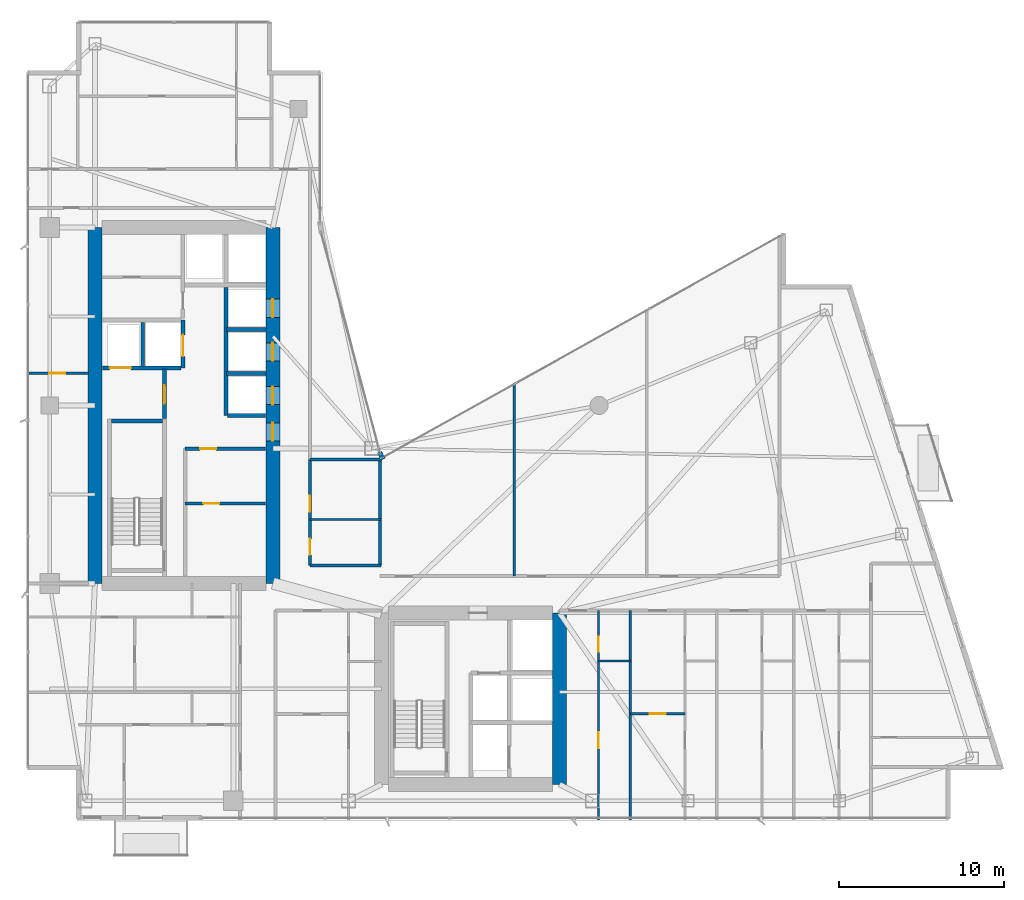
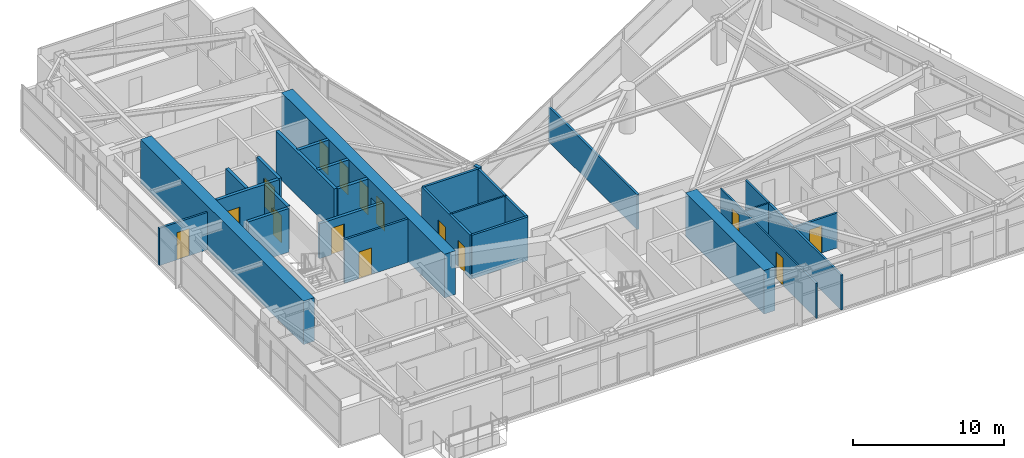
# One storey, part 23 of 28: 26 walls, 15 doors, 15 openings.
"""IFC4 building model written with IfcOpenShell, lengths in metres."""

from ifc_helpers import new_model, si_unit, direction, frame, frame_2d, origin, place, context, subcontext, project, spatial, rectangle, extrude, material, layer, layer_set, type_object, element, fill, save


model = new_model("IFC4")

# Units and contexts
model_context = context("Model", 3, precision=1e-05, world=origin(), true_north=direction((0.0, 1.0)))
body_context = subcontext(model_context, "Body", "Model", "MODEL_VIEW")
ifc_project = project(units=[si_unit("LENGTHUNIT", "METRE"), si_unit("AREAUNIT", "SQUARE_METRE"), si_unit("VOLUMEUNIT", "CUBIC_METRE"), si_unit("PLANEANGLEUNIT", "RADIAN"), si_unit("MASSUNIT", "GRAM", prefix="KILO")], contexts=[model_context])

# Site, building, storey
site_placement = place(None, origin())
site = spatial("IfcSite", under=ifc_project, at=site_placement, CompositionType="ELEMENT")
building_placement = place(site_placement, origin())
building = spatial("IfcBuilding", under=site, at=building_placement, Name="Calvorn Quay Hotel", CompositionType="ELEMENT")
storey_placement = place(building_placement, frame((0.0, 0.0, 135.39990234375)))
storey = spatial("IfcBuildingStorey", under=building, at=storey_placement, Name="L33", CompositionType="ELEMENT", Elevation=135.39990234375)

# Wall
ifc_material_1 = material(Name="Concrete C50", Category="concrete")
ifc_layer_1 = layer(ifc_material_1, 0.85009765625)
ifc_layer_set_1 = layer_set([ifc_layer_1], Name="WL-CORE-850")
wall_type_1 = type_object("IfcWallType", Name="WL-CORE-850", PredefinedType="SHEAR", material=ifc_layer_set_1)
wall_1_placement = place(storey_placement, frame((4.199951171875, 16.800048828125, 0.0), z_axis=(0.0, 0.0, 1.0), x_axis=(0.0, 1.0, 0.0)))
element("IfcWall", 1, at=wall_1_placement, inside=storey, type_object=wall_type_1, Name="West Core Shear Wall W (L33)", PredefinedType="SHEAR", context=body_context, shape_type="SweptSolid", body=[
    extrude(rectangle(XDim=21.599853515625, YDim=0.85009765625, at=frame_2d((10.7998046875, 0.0))), origin(), (0.0, 0.0, 1.0), 3.52001953125),
])

# Wall, openings, doors
wall_2_placement = place(storey_placement, frame((15.0, 16.800048828125, 0.0), z_axis=(0.0, 0.0, 1.0), x_axis=(0.0, 1.0, 0.0)))
wall_2 = element("IfcWall", 2, at=wall_2_placement, inside=storey, type_object=wall_type_1, Name="West Core Shear Wall E (L33)", PredefinedType="SHEAR", context=body_context, shape_type="SweptSolid", body=[
    extrude(rectangle(XDim=21.599853515625, YDim=0.85009765625, at=frame_2d((10.7998046875, 0.0))), origin(), (0.0, 0.0, 1.0), 3.52001953125),
])
opening_1_placement = place(wall_2_placement, frame((8.64990234375, 0.0, 0.0)))
opening_1 = element("IfcOpeningElement", 3, at=opening_1_placement, cuts=wall_2, Name="Opening D-L33-CW1", PredefinedType="OPENING", context=body_context, shape_type="SweptSolid", body=[
    extrude(rectangle(XDim=1.10009765625, YDim=2.199951171875, at=frame_2d((0.550048828125, 1.10009765625))), frame((0.0, 0.43505859375, 0.0), z_axis=(0.0, -1.0, 0.0), x_axis=(1.0, 0.0, 0.0)), (0.0, 0.0, 1.0), 0.8701171875),
])
opening_2_placement = place(wall_2_placement, frame((10.85009765625, 0.0, 0.0)))
opening_2 = element("IfcOpeningElement", 4, at=opening_2_placement, cuts=wall_2, Name="Opening LD-L33-M1", PredefinedType="OPENING", context=body_context, shape_type="SweptSolid", body=[
    extrude(rectangle(XDim=1.10009765625, YDim=2.199951171875, at=frame_2d((0.550048828125, 1.10009765625))), frame((0.0, 0.43505859375, 0.0), z_axis=(0.0, -1.0, 0.0), x_axis=(1.0, 0.0, 0.0)), (0.0, 0.0, 1.0), 0.8701171875),
])
opening_3_placement = place(wall_2_placement, frame((13.5, 0.0, 0.0)))
opening_3 = element("IfcOpeningElement", 5, at=opening_3_placement, cuts=wall_2, Name="Opening LD-L33-M2", PredefinedType="OPENING", context=body_context, shape_type="SweptSolid", body=[
    extrude(rectangle(XDim=1.10009765625, YDim=2.199951171875, at=frame_2d((0.550048828125, 1.10009765625))), frame((0.0, 0.43505859375, 0.0), z_axis=(0.0, -1.0, 0.0), x_axis=(1.0, 0.0, 0.0)), (0.0, 0.0, 1.0), 0.8701171875),
])
opening_4_placement = place(wall_2_placement, frame((16.14990234375, 0.0, 0.0)))
opening_4 = element("IfcOpeningElement", 6, at=opening_4_placement, cuts=wall_2, Name="Opening LD-L33-M3", PredefinedType="OPENING", context=body_context, shape_type="SweptSolid", body=[
    extrude(rectangle(XDim=1.10009765625, YDim=2.199951171875, at=frame_2d((0.550048828125, 1.10009765625))), frame((0.0, 0.43505859375, 0.0), z_axis=(0.0, -1.0, 0.0), x_axis=(1.0, 0.0, 0.0)), (0.0, 0.0, 1.0), 0.8701171875),
])
ifc_material_2 = material(Name="Smoke-Sealed Steel Class A Fire Door", Category="steel")
door_type_1 = type_object("IfcDoorType", Name="DR-FFLOBBY-1100", OperationType="NOTDEFINED", PredefinedType="DOOR", material=ifc_material_2)
door_1_placement = place(opening_1_placement, origin())
door_1 = element("IfcDoor", 7, at=door_1_placement, inside=storey, type_object=door_type_1, Name="West Core Vestibule Fire Door (L33)", OperationType="SINGLE_SWING_RIGHT", OverallHeight=2.199951171875, OverallWidth=1.10009765625, PredefinedType="DOOR", context=body_context, shape_type="SweptSolid", body=[
    extrude(rectangle(XDim=1.10009765625, YDim=2.199951171875, at=frame_2d((0.550048828125, 1.10009765625))), frame((0.0, 0.02490234375, 0.0), z_axis=(0.0, -1.0, 0.0), x_axis=(1.0, 0.0, 0.0)), (0.0, 0.0, 1.0), 0.050048828125),
])
fill(opening_1, door_1)
ifc_material_3 = material(Name="Brushed Stainless Steel Sliding Lift Landing Door", Category="steel")
door_type_2 = type_object("IfcDoorType", Name="DR-LIFT-PASS-1100", OperationType="NOTDEFINED", PredefinedType="DOOR", material=ifc_material_3)
door_2_placement = place(opening_2_placement, origin())
door_2 = element("IfcDoor", 8, at=door_2_placement, inside=storey, type_object=door_type_2, Name="Mid-Rise Lift PL-M1 Landing Door (L33)", OperationType="DOUBLE_DOOR_SLIDING", OverallHeight=2.199951171875, OverallWidth=1.10009765625, PredefinedType="DOOR", context=body_context, shape_type="SweptSolid", body=[
    extrude(rectangle(XDim=1.10009765625, YDim=2.199951171875, at=frame_2d((0.550048828125, 1.10009765625))), frame((0.0, 0.02490234375, 0.0), z_axis=(0.0, -1.0, 0.0), x_axis=(1.0, 0.0, 0.0)), (0.0, 0.0, 1.0), 0.050048828125),
])
fill(opening_2, door_2)
door_3_placement = place(opening_3_placement, origin())
door_3 = element("IfcDoor", 9, at=door_3_placement, inside=storey, type_object=door_type_2, Name="Mid-Rise Lift PL-M2 Landing Door (L33)", OperationType="DOUBLE_DOOR_SLIDING", OverallHeight=2.199951171875, OverallWidth=1.10009765625, PredefinedType="DOOR", context=body_context, shape_type="SweptSolid", body=[
    extrude(rectangle(XDim=1.10009765625, YDim=2.199951171875, at=frame_2d((0.550048828125, 1.10009765625))), frame((0.0, 0.02490234375, 0.0), z_axis=(0.0, -1.0, 0.0), x_axis=(1.0, 0.0, 0.0)), (0.0, 0.0, 1.0), 0.050048828125),
])
fill(opening_3, door_3)
door_4_placement = place(opening_4_placement, origin())
door_4 = element("IfcDoor", 10, at=door_4_placement, inside=storey, type_object=door_type_2, Name="Mid-Rise Lift PL-M3 Landing Door (L33)", OperationType="DOUBLE_DOOR_SLIDING", OverallHeight=2.199951171875, OverallWidth=1.10009765625, PredefinedType="DOOR", context=body_context, shape_type="SweptSolid", body=[
    extrude(rectangle(XDim=1.10009765625, YDim=2.199951171875, at=frame_2d((0.550048828125, 1.10009765625))), frame((0.0, 0.02490234375, 0.0), z_axis=(0.0, -1.0, 0.0), x_axis=(1.0, 0.0, 0.0)), (0.0, 0.0, 1.0), 0.050048828125),
])
fill(opening_4, door_4)

# Walls
wall_3_placement = place(storey_placement, frame((32.39990234375, 4.60009765625, 0.0), z_axis=(0.0, 0.0, 1.0), x_axis=(0.0, 1.0, 0.0)))
element("IfcWall", 11, at=wall_3_placement, inside=storey, type_object=wall_type_1, Name="East Core Shear Wall E (L33)", PredefinedType="SHEAR", context=body_context, shape_type="SweptSolid", body=[
    extrude(rectangle(XDim=10.39990234375, YDim=0.85009765625, at=frame_2d((5.199951171875, 0.0))), origin(), (0.0, 0.0, 1.0), 3.52001953125),
])
ifc_material_4 = material(Name="Acoustic Fireboard Steel-Stud Partition", Category="steel")
ifc_layer_2 = layer(ifc_material_4, 0.179931640625)
ifc_layer_set_2 = layer_set([ifc_layer_2], Name="WL-CORR-FIRE-180")
wall_type_2 = type_object("IfcWallType", Name="WL-CORR-FIRE-180", PredefinedType="PARTITIONING", material=ifc_layer_set_2)
wall_4_placement = place(storey_placement, frame((17.25, 17.8798828125, 0.0), z_axis=(0.0, 0.0, 1.0), x_axis=(1.0, 0.0, 0.0)))
element("IfcWall", 12, at=wall_4_placement, inside=storey, type_object=wall_type_2, Name="Partition Wall L33-WL-HK-S", PredefinedType="PARTITIONING", context=body_context, shape_type="SweptSolid", body=[
    extrude(rectangle(XDim=4.300048828125, YDim=0.179931640625, at=frame_2d((2.14990234375, 0.0))), origin(), (0.0, 0.0, 1.0), 3.52001953125),
])
wall_5_placement = place(storey_placement, frame((17.25, 24.320068359375, 0.0), z_axis=(0.0, 0.0, 1.0), x_axis=(1.0, 0.0, 0.0)))
element("IfcWall", 13, at=wall_5_placement, inside=storey, type_object=wall_type_2, Name="Partition Wall L33-WL-HK-N", PredefinedType="PARTITIONING", context=body_context, shape_type="SweptSolid", body=[
    extrude(rectangle(XDim=4.35009765625, YDim=0.179931640625, at=frame_2d((2.175048828125, 0.0))), origin(), (0.0, 0.0, 1.0), 3.52001953125),
])
wall_6_placement = place(storey_placement, frame((21.5, 17.8798828125, 0.0), z_axis=(0.0, 0.0, 1.0), x_axis=(0.0, 1.0, 0.0)))
element("IfcWall", 14, at=wall_6_placement, inside=storey, type_object=wall_type_2, Name="Partition Wall L33-WL-HK-E", PredefinedType="PARTITIONING", context=body_context, shape_type="SweptSolid", body=[
    extrude(rectangle(XDim=6.440185546875, YDim=0.179931640625, at=frame_2d((3.22021484375, 0.0))), origin(), (0.0, 0.0, 1.0), 3.52001953125),
])

# Wall, openings, doors
wall_7_placement = place(storey_placement, frame((17.25, 17.8798828125, 0.0), z_axis=(0.0, 0.0, 1.0), x_axis=(0.0, 1.0, 0.0)))
wall_7 = element("IfcWall", 15, at=wall_7_placement, inside=storey, type_object=wall_type_2, Name="Partition Wall L33-WL-HK-W", PredefinedType="PARTITIONING", context=body_context, shape_type="SweptSolid", body=[
    extrude(rectangle(XDim=6.440185546875, YDim=0.179931640625, at=frame_2d((3.22021484375, 0.0))), origin(), (0.0, 0.0, 1.0), 3.52001953125),
])
opening_5_placement = place(wall_7_placement, frame((0.64990234375, 0.0, 0.0)))
opening_5 = element("IfcOpeningElement", 16, at=opening_5_placement, cuts=wall_7, Name="Opening D-L33-HK", PredefinedType="OPENING", context=body_context, shape_type="SweptSolid", body=[
    extrude(rectangle(XDim=0.97998046875, YDim=2.14990234375, at=frame_2d((0.489990234375, 1.074951171875))), frame((0.0, 0.099853515625, 0.0), z_axis=(0.0, -1.0, 0.0), x_axis=(1.0, 0.0, 0.0)), (0.0, 0.0, 1.0), 0.199951171875),
])
opening_6_placement = place(wall_7_placement, frame((3.27001953125, 0.0, 0.0)))
opening_6 = element("IfcOpeningElement", 17, at=opening_6_placement, cuts=wall_7, Name="Opening D-L33-NCP", PredefinedType="OPENING", context=body_context, shape_type="SweptSolid", body=[
    extrude(rectangle(XDim=0.9599609375, YDim=2.199951171875, at=frame_2d((0.47998046875, 1.10009765625))), frame((0.0, 0.099853515625, 0.0), z_axis=(0.0, -1.0, 0.0), x_axis=(1.0, 0.0, 0.0)), (0.0, 0.0, 1.0), 0.199951171875),
])
ifc_material_5 = material(Name="Painted Steel Housekeeping/Riser Fire Door", Category="steel")
door_type_3 = type_object("IfcDoorType", Name="DR-SERVICE-980", OperationType="NOTDEFINED", PredefinedType="DOOR", material=ifc_material_5)
door_5_placement = place(opening_5_placement, origin())
door_5 = element("IfcDoor", 18, at=door_5_placement, inside=storey, type_object=door_type_3, Name="Floor Housekeeping Door (L33)", OperationType="SINGLE_SWING_LEFT", OverallHeight=2.14990234375, OverallWidth=0.97998046875, PredefinedType="DOOR", context=body_context, shape_type="SweptSolid", body=[
    extrude(rectangle(XDim=0.97998046875, YDim=2.14990234375, at=frame_2d((0.489990234375, 1.074951171875))), frame((0.0, 0.02490234375, 0.0), z_axis=(0.0, -1.0, 0.0), x_axis=(1.0, 0.0, 0.0)), (0.0, 0.0, 1.0), 0.050048828125),
])
fill(opening_5, door_5)
ifc_material_6 = material(Name="Solid Timber Internal Suite Door", Category="wood")
door_type_4 = type_object("IfcDoorType", Name="DR-SUITE-INT-960", OperationType="NOTDEFINED", PredefinedType="DOOR", material=ifc_material_6)
door_6_placement = place(opening_6_placement, origin())
door_6 = element("IfcDoor", 19, at=door_6_placement, inside=storey, type_object=door_type_4, Name="Reading Alcove Door (L33)", OperationType="SINGLE_SWING_RIGHT", OverallHeight=2.199951171875, OverallWidth=0.9599609375, PredefinedType="DOOR", context=body_context, shape_type="SweptSolid", body=[
    extrude(rectangle(XDim=0.9599609375, YDim=2.199951171875, at=frame_2d((0.47998046875, 1.10009765625))), frame((0.0, 0.02490234375, 0.0), z_axis=(0.0, -1.0, 0.0), x_axis=(1.0, 0.0, 0.0)), (0.0, 0.0, 1.0), 0.050048828125),
])
fill(opening_6, door_6)

# Walls
ifc_material_7 = material(Name="Moisture-Resistant Tile-Backed Partition")
ifc_layer_3 = layer(ifc_material_7, 0.125)
ifc_layer_set_3 = layer_set([ifc_layer_3], Name="WL-ENSUITE-125")
wall_type_3 = type_object("IfcWallType", Name="WL-ENSUITE-125", PredefinedType="PARTITIONING", material=ifc_layer_set_3)
wall_8_placement = place(storey_placement, frame((17.25, 20.679931640625, 0.0), z_axis=(0.0, 0.0, 1.0), x_axis=(1.0, 0.0, 0.0)))
element("IfcWall", 20, at=wall_8_placement, inside=storey, type_object=wall_type_3, Name="Partition Wall L33-WL-HK-M", PredefinedType="PARTITIONING", context=body_context, shape_type="SweptSolid", body=[
    extrude(rectangle(XDim=4.300048828125, YDim=0.125, at=frame_2d((2.14990234375, 0.0))), origin(), (0.0, 0.0, 1.0), 3.52001953125),
])
wall_9_placement = place(storey_placement, frame((34.77001953125, 12.10009765625, 0.0), z_axis=(0.0, 0.0, 1.0), x_axis=(1.0, 0.0, 0.0)))
element("IfcWall", 21, at=wall_9_placement, inside=storey, type_object=wall_type_3, Name="Partition Wall L33-WL-U05-BDV", PredefinedType="PARTITIONING", context=body_context, shape_type="SweptSolid", body=[
    extrude(rectangle(XDim=1.929931640625, YDim=0.125, at=frame_2d((0.96484375, 0.0))), origin(), (0.0, 0.0, 1.0), 2.820068359375),
])

# Wall, openings, doors
wall_10_placement = place(storey_placement, frame((34.77001953125, 2.43994140625, 0.0), z_axis=(0.0, 0.0, 1.0), x_axis=(0.0, 1.0, 0.0)))
wall_10 = element("IfcWall", 22, at=wall_10_placement, inside=storey, type_object=wall_type_3, Name="Partition Wall L33-WL-U05-BV", PredefinedType="PARTITIONING", context=body_context, shape_type="SweptSolid", body=[
    extrude(rectangle(XDim=12.7099609375, YDim=0.125, at=frame_2d((6.35498046875, 0.0))), origin(), (0.0, 0.0, 1.0), 2.820068359375),
])
opening_7_placement = place(wall_10_placement, frame((4.35009765625, 0.0, 0.0)))
opening_7 = element("IfcOpeningElement", 23, at=opening_7_placement, cuts=wall_10, Name="Opening D-L33-S05", PredefinedType="OPENING", context=body_context, shape_type="SweptSolid", body=[
    extrude(rectangle(XDim=0.9599609375, YDim=2.199951171875, at=frame_2d((0.47998046875, 1.10009765625))), frame((0.0, 0.072509765625, 0.0), z_axis=(0.0, -1.0, 0.0), x_axis=(1.0, 0.0, 0.0)), (0.0, 0.0, 1.0), 0.14501953125),
])
opening_8_placement = place(wall_10_placement, frame((10.2099609375, 0.0, 0.0)))
opening_8 = element("IfcOpeningElement", 24, at=opening_8_placement, cuts=wall_10, Name="Opening D-L33-E05", PredefinedType="OPENING", context=body_context, shape_type="SweptSolid", body=[
    extrude(rectangle(XDim=0.89990234375, YDim=2.14990234375, at=frame_2d((0.449951171875, 1.074951171875))), frame((0.0, 0.072509765625, 0.0), z_axis=(0.0, -1.0, 0.0), x_axis=(1.0, 0.0, 0.0)), (0.0, 0.0, 1.0), 0.14501953125),
])
ifc_material_8 = material(Name="Moisture-Sealed Timber En-Suite Door", Category="wood")
door_type_5 = type_object("IfcDoorType", Name="DR-ENSUITE-900", OperationType="NOTDEFINED", PredefinedType="DOOR", material=ifc_material_8)
door_7_placement = place(opening_8_placement, origin())
door_7 = element("IfcDoor", 25, at=door_7_placement, inside=storey, type_object=door_type_5, Name="En-Suite Door 05", OperationType="SINGLE_SWING_RIGHT", OverallHeight=2.14990234375, OverallWidth=0.89990234375, PredefinedType="DOOR", context=body_context, shape_type="SweptSolid", body=[
    extrude(rectangle(XDim=0.89990234375, YDim=2.14990234375, at=frame_2d((0.449951171875, 1.074951171875))), frame((0.0, 0.02490234375, 0.0), z_axis=(0.0, -1.0, 0.0), x_axis=(1.0, 0.0, 0.0)), (0.0, 0.0, 1.0), 0.050048828125),
])
fill(opening_8, door_7)
door_8_placement = place(opening_7_placement, origin())
door_8 = element("IfcDoor", 26, at=door_8_placement, inside=storey, type_object=door_type_4, Name="Executive Work Office Door 05", OperationType="SINGLE_SWING_LEFT", OverallHeight=2.199951171875, OverallWidth=0.9599609375, PredefinedType="DOOR", context=body_context, shape_type="SweptSolid", body=[
    extrude(rectangle(XDim=0.9599609375, YDim=2.199951171875, at=frame_2d((0.47998046875, 1.10009765625))), frame((0.0, 0.02490234375, 0.0), z_axis=(0.0, -1.0, 0.0), x_axis=(1.0, 0.0, 0.0)), (0.0, 0.0, 1.0), 0.050048828125),
])
fill(opening_7, door_8)

# Wall
ifc_material_9 = material(Name="Concrete C40", Category="concrete")
ifc_layer_4 = layer(ifc_material_9, 0.320068359375)
ifc_layer_set_4 = layer_set([ifc_layer_4], Name="WL-EXT-SPANDREL-320")
wall_type_4 = type_object("IfcWallType", Name="WL-EXT-SPANDREL-320", PredefinedType="SOLIDWALL", material=ifc_layer_set_4)
wall_11_placement = place(storey_placement, frame((21.679931640625, 24.340087890625, 0.0), z_axis=(0.0, 0.0, 1.0), x_axis=(-0.40758134973, 0.913168901875, 0.0)))
element("IfcWall", 27, at=wall_11_placement, inside=storey, type_object=wall_type_4, Name="Inner Court Corner Pier L33-ICJ1", PredefinedType="SOLIDWALL", context=body_context, shape_type="SweptSolid", body=[
    extrude(rectangle(XDim=0.470703125, YDim=0.280029296875, at=frame_2d((0.2353515625, 0.0))), origin(), (0.0, 0.0, 1.0), 3.52001953125),
])

# Wall, opening, door
ifc_material_10 = material(Name="Double-Stud Acoustic Gypsum Partition")
ifc_layer_5 = layer(ifc_material_10, 0.159912109375)
ifc_layer_set_5 = layer_set([ifc_layer_5], Name="WL-INTERSUITE-160")
wall_type_5 = type_object("IfcWallType", Name="WL-INTERSUITE-160", PredefinedType="PARTITIONING", material=ifc_layer_set_5)
wall_12_placement = place(storey_placement, frame((9.679931640625, 21.64990234375, 0.0), z_axis=(0.0, 0.0, 1.0), x_axis=(1.0, 0.0, 0.0)))
wall_12 = element("IfcWall", 28, at=wall_12_placement, inside=storey, type_object=wall_type_5, Name="Partition Wall L33-WL-CWW-FR-SPLIT", PredefinedType="PARTITIONING", context=body_context, shape_type="SweptSolid", body=[
    extrude(rectangle(XDim=4.875, YDim=0.159912109375, at=frame_2d((2.4375, 0.0))), origin(), (0.0, 0.0, 1.0), 3.52001953125),
])
opening_9_placement = place(wall_12_placement, frame((1.10009765625, 0.0, 0.0)))
opening_9 = element("IfcOpeningElement", 29, at=opening_9_placement, cuts=wall_12, Name="Opening D-L33-FRL1", PredefinedType="OPENING", context=body_context, shape_type="SweptSolid", body=[
    extrude(rectangle(XDim=0.97998046875, YDim=2.14990234375, at=frame_2d((0.489990234375, 1.074951171875))), frame((0.0, 0.08984375, 0.0), z_axis=(0.0, -1.0, 0.0), x_axis=(1.0, 0.0, 0.0)), (0.0, 0.0, 1.0), 0.179931640625),
])
door_9_placement = place(opening_9_placement, origin())
door_9 = element("IfcDoor", 30, at=door_9_placement, inside=storey, type_object=door_type_3, Name="Linen Store Room Door (L33)", OperationType="SINGLE_SWING_LEFT", OverallHeight=2.14990234375, OverallWidth=0.97998046875, PredefinedType="DOOR", context=body_context, shape_type="SweptSolid", body=[
    extrude(rectangle(XDim=0.97998046875, YDim=2.14990234375, at=frame_2d((0.489990234375, 1.074951171875))), frame((0.0, 0.02490234375, 0.0), z_axis=(0.0, -1.0, 0.0), x_axis=(1.0, 0.0, 0.0)), (0.0, 0.0, 1.0), 0.050048828125),
])
fill(opening_9, door_9)

wall_13_placement = place(storey_placement, frame((0.080078125, 29.550048828125, 0.0), z_axis=(0.0, 0.0, 1.0), x_axis=(1.0, 0.0, 0.0)))
wall_13 = element("IfcWall", 31, at=wall_13_placement, inside=storey, type_object=wall_type_5, Name="Partition Wall L33-WL-WBAY-DIV", PredefinedType="PARTITIONING", context=body_context, shape_type="SweptSolid", body=[
    extrude(rectangle(XDim=3.724853515625, YDim=0.159912109375, at=frame_2d((1.8623046875, 0.0))), origin(), (0.0, 0.0, 1.0), 3.02001953125),
])
opening_10_placement = place(wall_13_placement, frame((1.35009765625, 0.0, 0.0)))
opening_10 = element("IfcOpeningElement", 32, at=opening_10_placement, cuts=wall_13, Name="Opening D-L33-WBD", PredefinedType="OPENING", context=body_context, shape_type="SweptSolid", body=[
    extrude(rectangle(XDim=0.9599609375, YDim=2.199951171875, at=frame_2d((0.47998046875, 1.10009765625))), frame((0.0, 0.08984375, 0.0), z_axis=(0.0, -1.0, 0.0), x_axis=(1.0, 0.0, 0.0)), (0.0, 0.0, 1.0), 0.179931640625),
])
door_10_placement = place(opening_10_placement, origin())
door_10 = element("IfcDoor", 33, at=door_10_placement, inside=storey, type_object=door_type_4, Name="West Bay Connecting Door (L33)", OperationType="SINGLE_SWING_LEFT", OverallHeight=2.199951171875, OverallWidth=0.9599609375, PredefinedType="DOOR", context=body_context, shape_type="SweptSolid", body=[
    extrude(rectangle(XDim=0.9599609375, YDim=2.199951171875, at=frame_2d((0.47998046875, 1.10009765625))), frame((0.0, 0.02490234375, 0.0), z_axis=(0.0, -1.0, 0.0), x_axis=(1.0, 0.0, 0.0)), (0.0, 0.0, 1.0), 0.050048828125),
])
fill(opening_10, door_10)

wall_14_placement = place(storey_placement, frame((36.699951171875, 8.8798828125, 0.0), z_axis=(0.0, 0.0, 1.0), x_axis=(1.0, 0.0, 0.0)))
wall_14 = element("IfcWall", 34, at=wall_14_placement, inside=storey, type_object=wall_type_5, Name="Partition Wall L33-WL-U06-MSP", PredefinedType="PARTITIONING", context=body_context, shape_type="SweptSolid", body=[
    extrude(rectangle(XDim=3.320068359375, YDim=0.159912109375, at=frame_2d((1.66015625, 0.0))), origin(), (0.0, 0.0, 1.0), 2.820068359375),
])
opening_11_placement = place(wall_14_placement, frame((1.179931640625, 0.0, 0.0)))
opening_11 = element("IfcOpeningElement", 35, at=opening_11_placement, cuts=wall_14, Name="Opening D-L33-M06", PredefinedType="OPENING", context=body_context, shape_type="SweptSolid", body=[
    extrude(rectangle(XDim=0.9599609375, YDim=2.199951171875, at=frame_2d((0.47998046875, 1.10009765625))), frame((0.0, 0.08984375, 0.0), z_axis=(0.0, -1.0, 0.0), x_axis=(1.0, 0.0, 0.0)), (0.0, 0.0, 1.0), 0.179931640625),
])
door_11_placement = place(opening_11_placement, origin())
door_11 = element("IfcDoor", 36, at=door_11_placement, inside=storey, type_object=door_type_4, Name="Suite Bedroom Door 06", OperationType="SINGLE_SWING_LEFT", OverallHeight=2.199951171875, OverallWidth=0.9599609375, PredefinedType="DOOR", context=body_context, shape_type="SweptSolid", body=[
    extrude(rectangle(XDim=0.9599609375, YDim=2.199951171875, at=frame_2d((0.47998046875, 1.10009765625))), frame((0.0, 0.02490234375, 0.0), z_axis=(0.0, -1.0, 0.0), x_axis=(1.0, 0.0, 0.0)), (0.0, 0.0, 1.0), 0.050048828125),
])
fill(opening_11, door_11)

# Walls
wall_15_placement = place(storey_placement, frame((36.699951171875, 2.43994140625, 0.0), z_axis=(0.0, 0.0, 1.0), x_axis=(0.0, 1.0, 0.0)))
element("IfcWall", 37, at=wall_15_placement, inside=storey, type_object=wall_type_5, Name="Partition Wall L33-WL-SE-DIV-1", PredefinedType="PARTITIONING", context=body_context, shape_type="SweptSolid", body=[
    extrude(rectangle(XDim=12.7099609375, YDim=0.159912109375, at=frame_2d((6.35498046875, 0.0))), origin(), (0.0, 0.0, 1.0), 2.820068359375),
])
wall_16_placement = place(storey_placement, frame((29.64990234375, 17.25, 0.0), z_axis=(0.0, 0.0, 1.0), x_axis=(0.0, 1.0, 0.0)))
element("IfcWall", 38, at=wall_16_placement, inside=storey, type_object=wall_type_5, Name="Partition Wall L33-WL-NE-DIV-1", PredefinedType="PARTITIONING", context=body_context, shape_type="SweptSolid", body=[
    extrude(rectangle(XDim=11.719970703125, YDim=0.159912109375, at=frame_2d((5.85986328125, 0.0))), origin(), (0.0, 0.0, 1.0), 2.820068359375),
])

# Wall, opening, door
ifc_material_11 = material(Name="Autoclaved Aerated Masonry Block", Category="masonry")
ifc_layer_6 = layer(ifc_material_11, 0.219970703125)
ifc_layer_set_6 = layer_set([ifc_layer_6], Name="WL-LOBBY-FIRE-220")
wall_type_6 = type_object("IfcWallType", Name="WL-LOBBY-FIRE-220", PredefinedType="SOLIDWALL", material=ifc_layer_set_6)
wall_17_placement = place(storey_placement, frame((9.679931640625, 24.969970703125, 0.0), z_axis=(0.0, 0.0, 1.0), x_axis=(1.0, 0.0, 0.0)))
wall_17 = element("IfcWall", 39, at=wall_17_placement, inside=storey, type_object=wall_type_6, Name="Partition Wall L33-WL-CWW-FR-N", PredefinedType="SOLIDWALL", context=body_context, shape_type="SweptSolid", body=[
    extrude(rectangle(XDim=4.875, YDim=0.219970703125, at=frame_2d((2.4375, 0.0))), origin(), (0.0, 0.0, 1.0), 2.820068359375),
])
opening_12_placement = place(wall_17_placement, frame((0.89990234375, 0.0, 0.0)))
opening_12 = element("IfcOpeningElement", 40, at=opening_12_placement, cuts=wall_17, Name="Opening D-L33-FRL2", PredefinedType="OPENING", context=body_context, shape_type="SweptSolid", body=[
    extrude(rectangle(XDim=0.97998046875, YDim=2.14990234375, at=frame_2d((0.489990234375, 1.074951171875))), frame((0.0, 0.119873046875, 0.0), z_axis=(0.0, -1.0, 0.0), x_axis=(1.0, 0.0, 0.0)), (0.0, 0.0, 1.0), 0.239990234375),
])
door_12_placement = place(opening_12_placement, origin())
door_12 = element("IfcDoor", 41, at=door_12_placement, inside=storey, type_object=door_type_3, Name="Beverage Pantry Door (L33)", OperationType="SINGLE_SWING_RIGHT", OverallHeight=2.14990234375, OverallWidth=0.97998046875, PredefinedType="DOOR", context=body_context, shape_type="SweptSolid", body=[
    extrude(rectangle(XDim=0.97998046875, YDim=2.14990234375, at=frame_2d((0.489990234375, 1.074951171875))), frame((0.0, 0.02490234375, 0.0), z_axis=(0.0, -1.0, 0.0), x_axis=(1.0, 0.0, 0.0)), (0.0, 0.0, 1.0), 0.050048828125),
])
fill(opening_12, door_12)

# Walls
ifc_material_12 = material(Name="Concrete C40", Category="concrete")
ifc_layer_7 = layer(ifc_material_12, 0.239990234375)
ifc_layer_set_7 = layer_set([ifc_layer_7], Name="WL-SHAFT-240")
wall_type_7 = type_object("IfcWallType", Name="WL-SHAFT-240", PredefinedType="SOLIDWALL", material=ifc_layer_set_7)
wall_18_placement = place(storey_placement, frame((5.199951171875, 26.669921875, 0.0), z_axis=(0.0, 0.0, 1.0), x_axis=(1.0, 0.0, 0.0)))
element("IfcWall", 42, at=wall_18_placement, inside=storey, type_object=wall_type_7, Name="Stair STW Shaft Wall N (L33)", PredefinedType="SOLIDWALL", context=body_context, shape_type="SweptSolid", body=[
    extrude(rectangle(XDim=3.10009765625, YDim=0.239990234375, at=frame_2d((1.550048828125, 0.0))), origin(), (0.0, 0.0, 1.0), 3.52001953125),
])
for number, where, z_axis, x_axis, name in (
    (43, (12.179931640625, 29.550048828125, 0.0), (0.0, 0.0, 1.0), (1.0, 0.0, 0.0), "Lift Hoistway Divider Wall PLM12 (L33)"),
    (44, (12.179931640625, 32.199951171875, 0.0), (0.0, 0.0, 1.0), (1.0, 0.0, 0.0), "Lift Hoistway Divider Wall PLM23 (L33)"),
):
    element("IfcWall", number, at=place(storey_placement, frame(where, z_axis=z_axis, x_axis=x_axis)), inside=storey, type_object=wall_type_7, Name=name, PredefinedType="SOLIDWALL", context=body_context, shape_type="SweptSolid", body=[
        extrude(rectangle(XDim=2.39501953125, YDim=0.239990234375, at=frame_2d((1.197509765625, 0.0))), origin(), (0.0, 0.0, 1.0), 3.52001953125),
    ])

# Wall, opening, door
wall_19_placement = place(storey_placement, frame((8.419921875, 26.820068359375, 0.0), z_axis=(0.0, 0.0, 1.0), x_axis=(0.0, 1.0, 0.0)))
wall_19 = element("IfcWall", 45, at=wall_19_placement, inside=storey, type_object=wall_type_7, Name="Partition Wall L33-WL-CWW-FFL-E", PredefinedType="SOLIDWALL", context=body_context, shape_type="SweptSolid", body=[
    extrude(rectangle(XDim=3.0, YDim=0.239990234375, at=frame_2d((1.5, 0.0))), origin(), (0.0, 0.0, 1.0), 3.52001953125),
])
opening_13_placement = place(wall_19_placement, frame((0.89990234375, 0.0, 0.0)))
opening_13 = element("IfcOpeningElement", 46, at=opening_13_placement, cuts=wall_19, Name="Opening D-L33-FLW", PredefinedType="OPENING", context=body_context, shape_type="SweptSolid", body=[
    extrude(rectangle(XDim=1.10009765625, YDim=2.199951171875, at=frame_2d((0.550048828125, 1.10009765625))), frame((0.0, 0.1298828125, 0.0), z_axis=(0.0, -1.0, 0.0), x_axis=(1.0, 0.0, 0.0)), (0.0, 0.0, 1.0), 0.260009765625),
])
door_13_placement = place(opening_13_placement, origin())
door_13 = element("IfcDoor", 47, at=door_13_placement, inside=storey, type_object=door_type_1, Name="West Firefighting Lobby Fire Door (L33)", OperationType="SINGLE_SWING_RIGHT", OverallHeight=2.199951171875, OverallWidth=1.10009765625, PredefinedType="DOOR", context=body_context, shape_type="SweptSolid", body=[
    extrude(rectangle(XDim=1.10009765625, YDim=2.199951171875, at=frame_2d((0.550048828125, 1.10009765625))), frame((0.0, 0.02490234375, 0.0), z_axis=(0.0, -1.0, 0.0), x_axis=(1.0, 0.0, 0.0)), (0.0, 0.0, 1.0), 0.050048828125),
])
fill(opening_13, door_13)

wall_20_placement = place(storey_placement, frame((4.64501953125, 29.8798828125, 0.0), z_axis=(0.0, 0.0, 1.0), x_axis=(1.0, 0.0, 0.0)))
wall_20 = element("IfcWall", 48, at=wall_20_placement, inside=storey, type_object=wall_type_7, Name="Partition Wall L33-WL-CWW-FLW-S", PredefinedType="SOLIDWALL", context=body_context, shape_type="SweptSolid", body=[
    extrude(rectangle(XDim=4.77490234375, YDim=0.239990234375, at=frame_2d((2.387451171875, 0.0))), origin(), (0.0, 0.0, 1.0), 3.52001953125),
])
opening_14_placement = place(wall_20_placement, frame((0.449951171875, 0.0, 0.0)))
opening_14 = element("IfcOpeningElement", 49, at=opening_14_placement, cuts=wall_20, Name="Opening LD-L33-FLW1", PredefinedType="OPENING", context=body_context, shape_type="SweptSolid", body=[
    extrude(rectangle(XDim=1.300048828125, YDim=2.35009765625, at=frame_2d((0.64990234375, 1.175048828125))), frame((0.0, 0.1298828125, 0.0), z_axis=(0.0, -1.0, 0.0), x_axis=(1.0, 0.0, 0.0)), (0.0, 0.0, 1.0), 0.260009765625),
])
ifc_material_13 = material(Name="Champagne-Bronze Sliding Express Lift Landing Door")
door_type_6 = type_object("IfcDoorType", Name="DR-LIFT-SHUTTLE-1300", OperationType="NOTDEFINED", PredefinedType="DOOR", material=ifc_material_13)
door_14_placement = place(opening_14_placement, origin())
door_14 = element("IfcDoor", 50, at=door_14_placement, inside=storey, type_object=door_type_6, Name="Firefighting Lift FL-W1 Landing Door (L33)", OperationType="DOUBLE_DOOR_SLIDING", OverallHeight=2.35009765625, OverallWidth=1.300048828125, PredefinedType="DOOR", context=body_context, shape_type="SweptSolid", body=[
    extrude(rectangle(XDim=1.300048828125, YDim=2.35009765625, at=frame_2d((0.64990234375, 1.175048828125))), frame((0.0, 0.02490234375, 0.0), z_axis=(0.0, -1.0, 0.0), x_axis=(1.0, 0.0, 0.0)), (0.0, 0.0, 1.0), 0.050048828125),
])
fill(opening_14, door_14)

# Wall
wall_21_placement = place(storey_placement, frame((7.10009765625, 30.02001953125, 0.0), z_axis=(0.0, 0.0, 1.0), x_axis=(0.0, 1.0, 0.0)))
element("IfcWall", 51, at=wall_21_placement, inside=storey, type_object=wall_type_7, Name="Partition Wall L33-WL-CWW-FLW-DIV", PredefinedType="SOLIDWALL", context=body_context, shape_type="SweptSolid", body=[
    extrude(rectangle(XDim=2.6298828125, YDim=0.239990234375, at=frame_2d((1.31494140625, 0.0))), origin(), (0.0, 0.0, 1.0), 3.52001953125),
])

# Wall, opening, door
wall_22_placement = place(storey_placement, frame((9.5400390625, 29.8798828125, 0.0), z_axis=(0.0, 0.0, 1.0), x_axis=(0.0, 1.0, 0.0)))
wall_22 = element("IfcWall", 52, at=wall_22_placement, inside=storey, type_object=wall_type_7, Name="Partition Wall L33-WL-CWW-SLW-E", PredefinedType="SOLIDWALL", context=body_context, shape_type="SweptSolid", body=[
    extrude(rectangle(XDim=2.900146484375, YDim=0.239990234375, at=frame_2d((1.4501953125, 0.0))), origin(), (0.0, 0.0, 1.0), 3.52001953125),
])
opening_15_placement = place(wall_22_placement, frame((0.699951171875, 0.0, 0.0)))
opening_15 = element("IfcOpeningElement", 53, at=opening_15_placement, cuts=wall_22, Name="Opening LD-L33-SLW1", PredefinedType="OPENING", context=body_context, shape_type="SweptSolid", body=[
    extrude(rectangle(XDim=1.300048828125, YDim=2.35009765625, at=frame_2d((0.64990234375, 1.175048828125))), frame((0.0, 0.1298828125, 0.0), z_axis=(0.0, -1.0, 0.0), x_axis=(1.0, 0.0, 0.0)), (0.0, 0.0, 1.0), 0.260009765625),
])
door_15_placement = place(opening_15_placement, origin())
door_15 = element("IfcDoor", 54, at=door_15_placement, inside=storey, type_object=door_type_6, Name="Service Lift SL-W1 Landing Door (L33)", OperationType="DOUBLE_DOOR_SLIDING", OverallHeight=2.35009765625, OverallWidth=1.300048828125, PredefinedType="DOOR", context=body_context, shape_type="SweptSolid", body=[
    extrude(rectangle(XDim=1.300048828125, YDim=2.35009765625, at=frame_2d((0.64990234375, 1.175048828125))), frame((0.0, 0.02490234375, 0.0), z_axis=(0.0, -1.0, 0.0), x_axis=(1.0, 0.0, 0.0)), (0.0, 0.0, 1.0), 0.050048828125),
])
fill(opening_15, door_15)

# Walls
wall_23_placement = place(storey_placement, frame((12.25, 27.0, 0.0), z_axis=(0.0, 0.0, 1.0), x_axis=(1.0, 0.0, 0.0)))
element("IfcWall", 55, at=wall_23_placement, inside=storey, type_object=wall_type_7, Name="Partition Wall L33-WL-CWW-PLM-S", PredefinedType="SOLIDWALL", context=body_context, shape_type="SweptSolid", body=[
    extrude(rectangle(XDim=2.304931640625, YDim=0.239990234375, at=frame_2d((1.15234375, 0.0))), origin(), (0.0, 0.0, 1.0), 3.52001953125),
])
wall_24_placement = place(storey_placement, frame((12.14990234375, 27.0, 0.0), z_axis=(0.0, 0.0, 1.0), x_axis=(0.0, 1.0, 0.0)))
element("IfcWall", 56, at=wall_24_placement, inside=storey, type_object=wall_type_7, Name="Partition Wall L33-WL-CWW-PLM-W", PredefinedType="SOLIDWALL", context=body_context, shape_type="SweptSolid", body=[
    extrude(rectangle(XDim=7.75, YDim=0.239990234375, at=frame_2d((3.875, 0.0))), origin(), (0.0, 0.0, 1.0), 3.52001953125),
])

save(model, "model.ifc")
